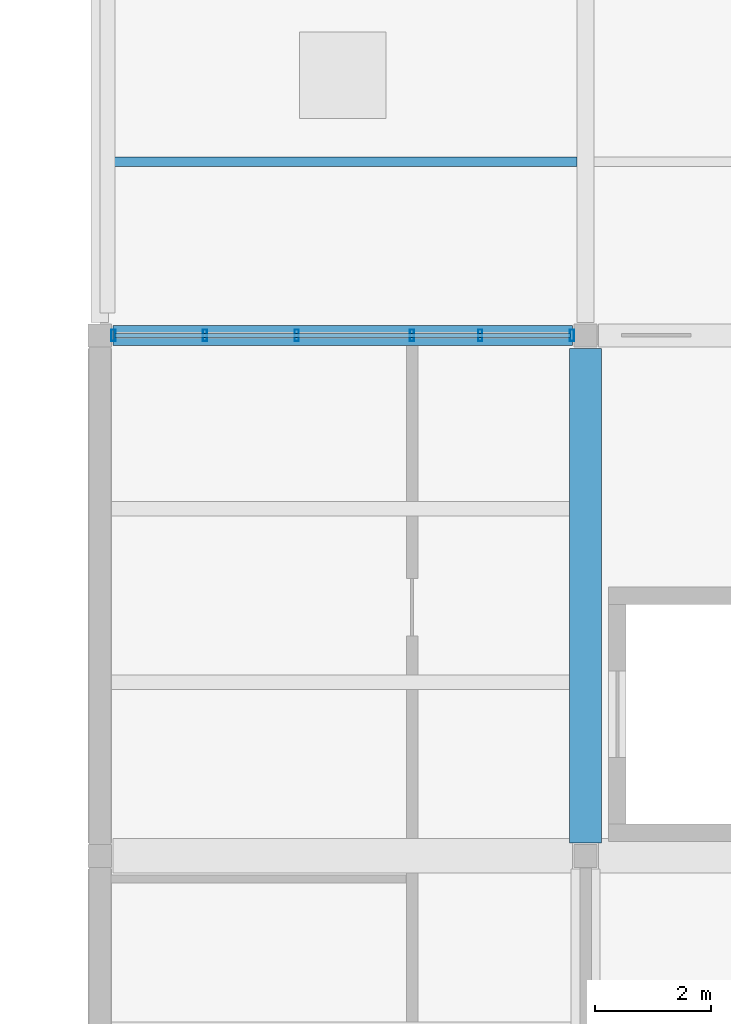
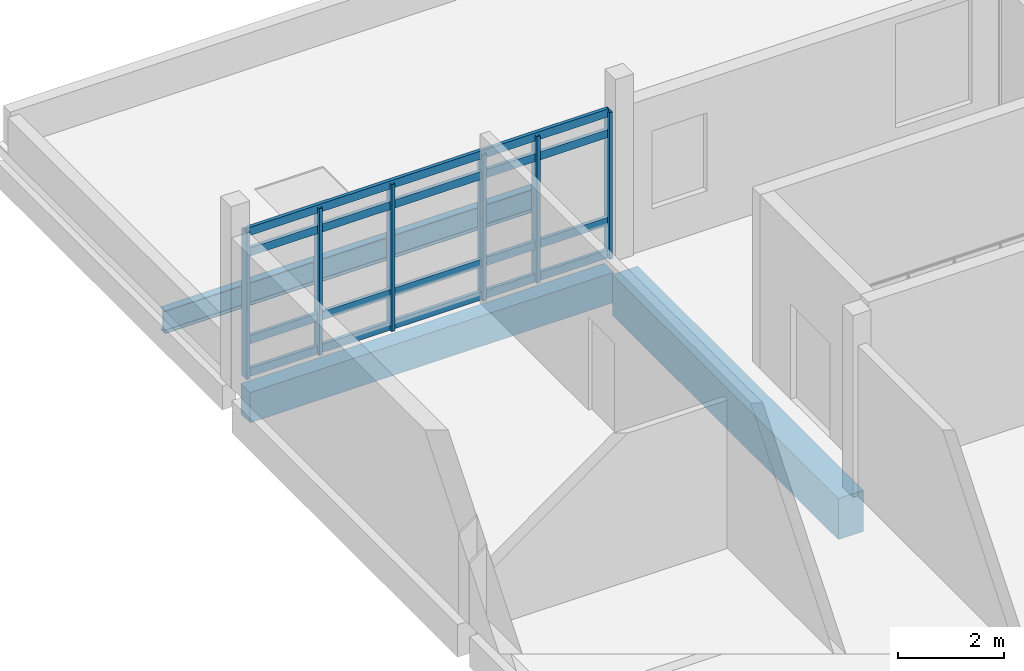
# One storey, part 24 of 41: 10 members, 3 beams, 1 element without a shape of its own.
"""IFC4 building model written with IfcOpenShell, lengths in metres."""

from ifc_helpers import new_model, si_unit, direction, frame, origin, origin_2d, place, context, subcontext, project, spatial, rectangle, hollow_rectangle, i_section, extrude, material, layer, layer_set, material_profile, profile_set, type_object, element, aggregate, save


model = new_model("IFC4")

# Units and contexts
model_context = context("Model", 3, precision=1e-05, world=origin(), true_north=direction((0.0, 1.0)))
body_context = subcontext(model_context, "Body", "Model", "MODEL_VIEW")
ifc_project = project(units=[si_unit("LENGTHUNIT", "METRE"), si_unit("AREAUNIT", "SQUARE_METRE"), si_unit("VOLUMEUNIT", "CUBIC_METRE"), si_unit("PLANEANGLEUNIT", "RADIAN"), si_unit("MASSUNIT", "GRAM", prefix="KILO")], contexts=[model_context])

# Site, building, storey
site_placement = place(None, origin())
site = spatial("IfcSite", under=ifc_project, at=site_placement, CompositionType="ELEMENT")
building_placement = place(site_placement, origin())
building = spatial("IfcBuilding", under=site, at=building_placement, Name="Vireocrest Preparatory School", CompositionType="ELEMENT")
storey_placement = place(building_placement, frame((0.0, 0.0, 21.60009765625)))
storey = spatial("IfcBuildingStorey", under=building, at=storey_placement, Name="L05", CompositionType="ELEMENT", Elevation=21.60009765625)

# Curtain wall, members
ifc_material_1 = material(Name="Thermally broken aluminium EN AW-6063-T6", Category="aluminium")
ifc_layer = layer(ifc_material_1, 0.179931640625)
ifc_layer_set = layer_set([ifc_layer], Name="Thermally broken aluminium EN AW-6063-T6")
curtain_wall_type = type_object("IfcCurtainWallType", Name="Library Reading Bay Glazing 7600x4200", PredefinedType="USERDEFINED", material=ifc_layer_set)
curtain_wall_placement = place(storey_placement, origin())
curtain_wall = element("IfcCurtainWall", 1, at=curtain_wall_placement, inside=storey, type_object=curtain_wall_type, Name="Curtain Wall CW16 CW_L05_CW16_0422_1038_216", ObjectType="CURTAIN WALL", PredefinedType="USERDEFINED")
ifc_material_profile_1 = material_profile(ifc_material_1, hollow_rectangle(XDim=0.074951171875, YDim=0.199951171875, WallThickness=0.0048828125, at=origin_2d()), Name="ALU 75x200x5")
ifc_profile_set_1 = profile_set([ifc_material_profile_1], Name="Thermally broken aluminium EN AW-6063-T6")
member_type_1 = type_object("IfcMemberType", Name="CW Mullion 75x200x5", PredefinedType="MULLION", material=ifc_profile_set_1)
member_1_placement = place(storey_placement, frame((42.235107421875, 103.800048828125, 0.0), z_axis=(0.0, 0.0, 1.0), x_axis=(1.0, 0.0, 0.0)))
member_1 = element("IfcMember", 2, at=member_1_placement, type_object=member_type_1, Name="CW Mullion ML3 CW_L05_CW16_0422_1038_216-1", PredefinedType="MULLION", context=body_context, shape_type="SweptSolid", body=[
    extrude(hollow_rectangle(XDim=0.074951171875, YDim=0.199951171875, WallThickness=0.0048828125, at=origin_2d()), origin(), (0.0, 0.0, 1.0), 3.39501953125),
])
member_2_placement = place(storey_placement, frame((43.821044921875, 103.800048828125, 0.0), z_axis=(0.0, 0.0, 1.0), x_axis=(1.0, 0.0, 0.0)))
member_2 = element("IfcMember", 3, at=member_2_placement, type_object=member_type_1, Name="CW Mullion ML3 CW_L05_CW16_0422_1038_216-2", PredefinedType="MULLION", context=body_context, shape_type="SweptSolid", body=[
    extrude(hollow_rectangle(XDim=0.074951171875, YDim=0.199951171875, WallThickness=0.0048828125, at=origin_2d()), origin(), (0.0, 0.0, 1.0), 3.39501953125),
])
member_3_placement = place(storey_placement, frame((45.406982421875, 103.800048828125, 0.0), z_axis=(0.0, 0.0, 1.0), x_axis=(1.0, 0.0, 0.0)))
member_3 = element("IfcMember", 4, at=member_3_placement, type_object=member_type_1, Name="CW Mullion ML3 CW_L05_CW16_0422_1038_216-3", PredefinedType="MULLION", context=body_context, shape_type="SweptSolid", body=[
    extrude(hollow_rectangle(XDim=0.074951171875, YDim=0.199951171875, WallThickness=0.0048828125, at=origin_2d()), origin(), (0.0, 0.0, 1.0), 3.39501953125),
])
member_4_placement = place(storey_placement, frame((47.39990234375, 103.800048828125, 0.0), z_axis=(0.0, 0.0, 1.0), x_axis=(1.0, 0.0, 0.0)))
member_4 = element("IfcMember", 5, at=member_4_placement, type_object=member_type_1, Name="CW Mullion ML3 CW_L05_CW16_0422_1038_216-4", PredefinedType="MULLION", context=body_context, shape_type="SweptSolid", body=[
    extrude(hollow_rectangle(XDim=0.074951171875, YDim=0.199951171875, WallThickness=0.0048828125, at=origin_2d()), origin(), (0.0, 0.0, 1.0), 3.39501953125),
])
member_5_placement = place(storey_placement, frame((48.5791015625, 103.800048828125, 0.0), z_axis=(0.0, 0.0, 1.0), x_axis=(1.0, 0.0, 0.0)))
member_5 = element("IfcMember", 6, at=member_5_placement, type_object=member_type_1, Name="CW Mullion ML3 CW_L05_CW16_0422_1038_216-5", PredefinedType="MULLION", context=body_context, shape_type="SweptSolid", body=[
    extrude(hollow_rectangle(XDim=0.074951171875, YDim=0.199951171875, WallThickness=0.0048828125, at=origin_2d()), origin(), (0.0, 0.0, 1.0), 3.39501953125),
])
member_6_placement = place(storey_placement, frame((50.1650390625, 103.800048828125, 0.0), z_axis=(0.0, 0.0, 1.0), x_axis=(1.0, 0.0, 0.0)))
member_6 = element("IfcMember", 7, at=member_6_placement, type_object=member_type_1, Name="CW Mullion ML3 CW_L05_CW16_0422_1038_216-6", PredefinedType="MULLION", context=body_context, shape_type="SweptSolid", body=[
    extrude(hollow_rectangle(XDim=0.074951171875, YDim=0.199951171875, WallThickness=0.0048828125, at=origin_2d()), origin(), (0.0, 0.0, 1.0), 3.39501953125),
])
ifc_material_profile_2 = material_profile(ifc_material_1, hollow_rectangle(XDim=0.074951171875, YDim=0.18994140625, WallThickness=0.00390625, at=origin_2d()), Name="ALU 75x190x4")
ifc_profile_set_2 = profile_set([ifc_material_profile_2], Name="Thermally broken aluminium EN AW-6063-T6")
member_type_2 = type_object("IfcMemberType", Name="CW Transom 75x190x4", PredefinedType="USERDEFINED", material=ifc_profile_set_2)
member_7_placement = place(storey_placement, frame((42.260009765625, 103.800048828125, 0.094970703125), z_axis=(1.0, 0.0, 0.0), x_axis=(0.0, 1.0, 0.0)))
member_7 = element("IfcMember", 8, at=member_7_placement, type_object=member_type_2, Name="CW Transom TR3 CW_L05_CW16_0422_1038_216-1", ObjectType="TRANSOM", PredefinedType="USERDEFINED", context=body_context, shape_type="SweptSolid", body=[
    extrude(hollow_rectangle(XDim=0.074951171875, YDim=0.18994140625, WallThickness=0.00390625, at=origin_2d()), origin(), (0.0, 0.0, 1.0), 7.8798828125),
])
member_8_placement = place(storey_placement, frame((42.260009765625, 103.800048828125, 0.849853515625), z_axis=(1.0, 0.0, 0.0), x_axis=(0.0, 1.0, 0.0)))
member_8 = element("IfcMember", 9, at=member_8_placement, type_object=member_type_2, Name="CW Transom TR3 CW_L05_CW16_0422_1038_216-2", ObjectType="TRANSOM", PredefinedType="USERDEFINED", context=body_context, shape_type="SweptSolid", body=[
    extrude(hollow_rectangle(XDim=0.074951171875, YDim=0.18994140625, WallThickness=0.00390625, at=origin_2d()), origin(), (0.0, 0.0, 1.0), 7.8798828125),
])
member_9_placement = place(storey_placement, frame((42.260009765625, 103.800048828125, 2.8798828125), z_axis=(1.0, 0.0, 0.0), x_axis=(0.0, 1.0, 0.0)))
member_9 = element("IfcMember", 10, at=member_9_placement, type_object=member_type_2, Name="CW Transom TR3 CW_L05_CW16_0422_1038_216-3", ObjectType="TRANSOM", PredefinedType="USERDEFINED", context=body_context, shape_type="SweptSolid", body=[
    extrude(hollow_rectangle(XDim=0.074951171875, YDim=0.18994140625, WallThickness=0.00390625, at=origin_2d()), origin(), (0.0, 0.0, 1.0), 7.8798828125),
])
member_10_placement = place(storey_placement, frame((42.260009765625, 103.800048828125, 3.35498046875), z_axis=(1.0, 0.0, 0.0), x_axis=(0.0, 1.0, 0.0)))
member_10 = element("IfcMember", 11, at=member_10_placement, type_object=member_type_2, Name="CW Transom TR3 CW_L05_CW16_0422_1038_216-4", ObjectType="TRANSOM", PredefinedType="USERDEFINED", context=body_context, shape_type="SweptSolid", body=[
    extrude(hollow_rectangle(XDim=0.074951171875, YDim=0.18994140625, WallThickness=0.00390625, at=origin_2d()), origin(), (0.0, 0.0, 1.0), 7.8798828125),
])
aggregate(curtain_wall, [member_1, member_2, member_3, member_4, member_5, member_6, member_7, member_8, member_9, member_10])

# Beams
ifc_material_2 = material(Name="Structural steel ASTM A992 Grade 50", Category="steel")
ifc_material_profile_3 = material_profile(ifc_material_2, i_section(OverallWidth=0.166015625, OverallDepth=0.529052734375, WebThickness=0.009765625, FlangeThickness=0.013671875, FilletRadius=0.014892578125, at=origin_2d()), Name="W21X50")
ifc_profile_set_3 = profile_set([ifc_material_profile_3], Name="Structural steel ASTM A992 Grade 50")
beam_type_1 = type_object("IfcBeamType", Name="Pavilion Roof Joist W21X50", PredefinedType="JOIST", material=ifc_profile_set_3)
beam_1_placement = place(storey_placement, frame((42.14990234375, 106.800048828125, -0.484619140625), z_axis=(1.0, 0.0, 0.0), x_axis=(0.0, 1.0, 0.0)))
element("IfcBeam", 12, at=beam_1_placement, inside=storey, type_object=beam_type_1, Name="Secondary Joist SJ1 L05-1627", PredefinedType="JOIST", context=body_context, shape_type="SweptSolid", body=[
    extrude(i_section(OverallWidth=0.166015625, OverallDepth=0.529052734375, WebThickness=0.009765625, FlangeThickness=0.013671875, FilletRadius=0.014892578125, at=origin_2d()), origin(), (0.0, 0.0, 1.0), 8.10009765625),
])
ifc_material_3 = material(Name="Concrete 40 MPa", Category="concrete")
ifc_material_profile_4 = material_profile(ifc_material_3, rectangle(XDim=0.35009765625, YDim=0.699951171875, at=origin_2d()), Name="RC 350x700")
ifc_profile_set_4 = profile_set([ifc_material_profile_4], Name="Concrete 40 MPa")
beam_type_2 = type_object("IfcBeamType", Name="RC Laboratory Girder 350x700", PredefinedType="BEAM", material=ifc_profile_set_4)
beam_2_placement = place(storey_placement, frame((42.22509765625, 103.800048828125, -0.610107421875), z_axis=(1.0, 0.0, 0.0), x_axis=(0.0, 1.0, 0.0)))
element("IfcBeam", 13, at=beam_2_placement, inside=storey, type_object=beam_type_2, Name="Primary Girder B06 L05-1552", PredefinedType="BEAM", context=body_context, shape_type="SweptSolid", body=[
    extrude(rectangle(XDim=0.35009765625, YDim=0.699951171875, at=origin_2d()), origin(), (0.0, 0.0, 1.0), 7.949951171875),
])
ifc_material_profile_5 = material_profile(ifc_material_3, rectangle(XDim=0.550048828125, YDim=0.949951171875, at=origin_2d()), Name="RC 550x950")
ifc_profile_set_5 = profile_set([ifc_material_profile_5], Name="Concrete 40 MPa")
beam_type_3 = type_object("IfcBeamType", Name="RC Setback Edge Girder 550x950", PredefinedType="BEAM", material=ifc_profile_set_5)
beam_3_placement = place(storey_placement, frame((50.39990234375, 95.02490234375, -0.735107421875), z_axis=(0.0, 1.0, 0.0), x_axis=(-1.0, 0.0, 0.0)))
element("IfcBeam", 14, at=beam_3_placement, inside=storey, type_object=beam_type_3, Name="Primary Girder B17 L05-1576", PredefinedType="BEAM", context=body_context, shape_type="SweptSolid", body=[
    extrude(rectangle(XDim=0.550048828125, YDim=0.949951171875, at=origin_2d()), origin(), (0.0, 0.0, 1.0), 8.550048828125),
])

save(model, "model.ifc")
